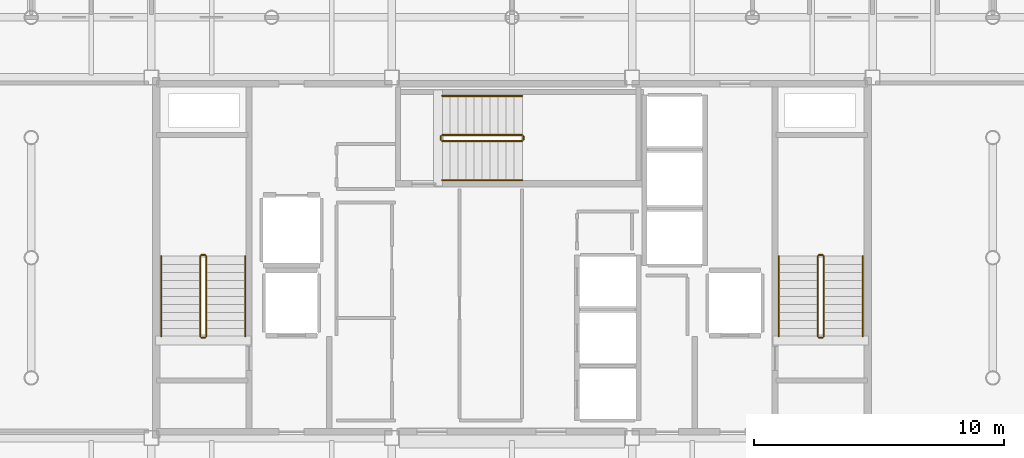
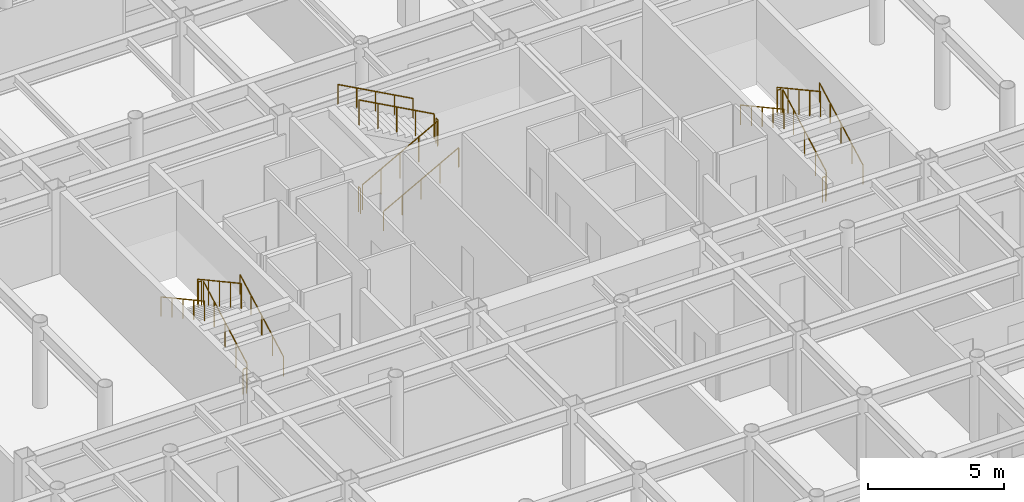
# One storey, part 22 of 22: 18 railings.
"""IFC4 building model written with IfcOpenShell, lengths in metres."""

from ifc_helpers import new_model, si_unit, direction, frame, origin, origin_2d, place, context, subcontext, project, spatial, circle, extrude, material, layer, layer_set, type_object, element, save


model = new_model("IFC4")

# Units and contexts
model_context = context("Model", 3, precision=1e-05, world=origin(), true_north=direction((0.0, 1.0)))
body_context = subcontext(model_context, "Body", "Model", "MODEL_VIEW")
ifc_project = project(units=[si_unit("LENGTHUNIT", "METRE"), si_unit("AREAUNIT", "SQUARE_METRE"), si_unit("VOLUMEUNIT", "CUBIC_METRE"), si_unit("PLANEANGLEUNIT", "RADIAN"), si_unit("MASSUNIT", "GRAM", prefix="KILO")], contexts=[model_context])

# Site, building, storey
site_placement = place(None, origin())
site = spatial("IfcSite", under=ifc_project, at=site_placement, CompositionType="ELEMENT")
building_placement = place(site_placement, origin())
building = spatial("IfcBuilding", under=site, at=building_placement, Name="Kallvorn Hotel Tower", CompositionType="ELEMENT")
storey_placement = place(building_placement, frame((0.0, 0.0, 203.050048828125)))
storey = spatial("IfcBuildingStorey", under=building, at=storey_placement, Name="L50", CompositionType="ELEMENT", Elevation=203.050048828125)

# Railings
ifc_material_1 = material(Name="Brushed stainless-steel tubular railing", Category="steel")
ifc_layer_1 = layer(ifc_material_1, 0.050048828125)
ifc_layer_set_1 = layer_set([ifc_layer_1], Name="RL_STAIR_GUARD")
railing_type_1 = type_object("IfcRailingType", Name="RL_STAIR_GUARD", PredefinedType="GUARDRAIL", material=ifc_layer_set_1)
railing_1_placement = place(storey_placement, frame((-12.2099609375, -3.139892578125, 0.175048828125)))
element("IfcRailing", 1, at=railing_1_placement, inside=storey, type_object=railing_type_1, Name="L50 ST1 stair guard 1", PredefinedType="GUARDRAIL", context=body_context, shape_type="SweptSolid", body=[
    extrude(circle(Radius=0.02392578125, at=origin_2d()), frame((0.0, 0.0, 1.1259765625), z_axis=(0.0, 0.877368057402, 0.479817977833), x_axis=(-1.0, 0.0, 0.0)), (0.0, 0.0, 1.0), 3.647216796875),
    extrude(circle(Radius=0.02099609375, at=origin_2d()), origin(), (0.0, 0.0, 1.0), 1.101806640625),
    extrude(circle(Radius=0.02099609375, at=origin_2d()), frame((0.0, 0.800048828125, 0.4375)), (0.0, 0.0, 1.0), 1.101806640625),
    extrude(circle(Radius=0.02099609375, at=origin_2d()), frame((0.0, 1.60009765625, 0.875)), (0.0, 0.0, 1.0), 1.101806640625),
    extrude(circle(Radius=0.02099609375, at=origin_2d()), frame((0.0, 2.39990234375, 1.3125)), (0.0, 0.0, 1.0), 1.101806640625),
    extrude(circle(Radius=0.02099609375, at=origin_2d()), frame((0.0, 3.199951171875, 1.75)), (0.0, 0.0, 1.0), 1.101806640625),
])
railing_2_placement = place(storey_placement, frame((-12.260009765625, 0.110107421875, 1.925048828125)))
element("IfcRailing", 2, at=railing_2_placement, inside=storey, type_object=railing_type_1, Name="L50 ST1 stair guard 2", PredefinedType="GUARDRAIL", context=body_context, shape_type="SweptSolid", body=[
    extrude(circle(Radius=0.02392578125, at=origin_2d()), frame((0.0, 0.0, 1.1259765625), z_axis=(-1.0, 0.0, 0.0), x_axis=(0.0, -1.0, 0.0)), (0.0, 0.0, 1.0), 0.139892578125),
    extrude(circle(Radius=0.02099609375, at=origin_2d()), origin(), (0.0, 0.0, 1.0), 1.101806640625),
    extrude(circle(Radius=0.02099609375, at=origin_2d()), frame((-0.139892578125, 0.0, 0.0)), (0.0, 0.0, 1.0), 1.101806640625),
])
railing_3_placement = place(storey_placement, frame((-12.449951171875, 0.06005859375, 2.099853515625)))
element("IfcRailing", 3, at=railing_3_placement, inside=storey, type_object=railing_type_1, Name="L50 ST1 stair guard 3", PredefinedType="GUARDRAIL", context=body_context, shape_type="SweptSolid", body=[
    extrude(circle(Radius=0.02392578125, at=origin_2d()), frame((0.0, 0.0, 1.1259765625), z_axis=(0.0, -0.877368057402, 0.479817977833), x_axis=(1.0, 0.0, 0.0)), (0.0, 0.0, 1.0), 3.647216796875),
    extrude(circle(Radius=0.02099609375, at=origin_2d()), origin(), (0.0, 0.0, 1.0), 1.101806640625),
    extrude(circle(Radius=0.02099609375, at=origin_2d()), frame((0.0, -0.800048828125, 0.4375)), (0.0, 0.0, 1.0), 1.101806640625),
    extrude(circle(Radius=0.02099609375, at=origin_2d()), frame((0.0, -1.60009765625, 0.875)), (0.0, 0.0, 1.0), 1.101806640625),
    extrude(circle(Radius=0.02099609375, at=origin_2d()), frame((0.0, -2.39990234375, 1.3125)), (0.0, 0.0, 1.0), 1.101806640625),
    extrude(circle(Radius=0.02099609375, at=origin_2d()), frame((0.0, -3.199951171875, 1.75)), (0.0, 0.0, 1.0), 1.101806640625),
])
railing_4_placement = place(storey_placement, frame((-12.260009765625, -3.18994140625, 0.0)))
element("IfcRailing", 4, at=railing_4_placement, inside=storey, type_object=railing_type_1, Name="L50 ST1 stair guard 4", PredefinedType="GUARDRAIL", context=body_context, shape_type="SweptSolid", body=[
    extrude(circle(Radius=0.02392578125, at=origin_2d()), frame((0.0, 0.0, 1.1259765625), z_axis=(-1.0, 0.0, 0.0), x_axis=(0.0, -1.0, 0.0)), (0.0, 0.0, 1.0), 0.139892578125),
    extrude(circle(Radius=0.02099609375, at=origin_2d()), origin(), (0.0, 0.0, 1.0), 1.101806640625),
    extrude(circle(Radius=0.02099609375, at=origin_2d()), frame((-0.139892578125, 0.0, 0.0)), (0.0, 0.0, 1.0), 1.101806640625),
])
railing_5_placement = place(storey_placement, frame((12.449951171875, -3.139892578125, 0.175048828125)))
element("IfcRailing", 5, at=railing_5_placement, inside=storey, type_object=railing_type_1, Name="L50 ST2 stair guard 1", PredefinedType="GUARDRAIL", context=body_context, shape_type="SweptSolid", body=[
    extrude(circle(Radius=0.02392578125, at=origin_2d()), frame((0.0, 0.0, 1.1259765625), z_axis=(0.0, 0.877368057402, 0.479817977833), x_axis=(-1.0, 0.0, 0.0)), (0.0, 0.0, 1.0), 3.647216796875),
    extrude(circle(Radius=0.02099609375, at=origin_2d()), origin(), (0.0, 0.0, 1.0), 1.101806640625),
    extrude(circle(Radius=0.02099609375, at=origin_2d()), frame((0.0, 0.800048828125, 0.4375)), (0.0, 0.0, 1.0), 1.101806640625),
    extrude(circle(Radius=0.02099609375, at=origin_2d()), frame((0.0, 1.60009765625, 0.875)), (0.0, 0.0, 1.0), 1.101806640625),
    extrude(circle(Radius=0.02099609375, at=origin_2d()), frame((0.0, 2.39990234375, 1.3125)), (0.0, 0.0, 1.0), 1.101806640625),
    extrude(circle(Radius=0.02099609375, at=origin_2d()), frame((0.0, 3.199951171875, 1.75)), (0.0, 0.0, 1.0), 1.101806640625),
])
railing_6_placement = place(storey_placement, frame((12.39990234375, 0.110107421875, 1.925048828125)))
element("IfcRailing", 6, at=railing_6_placement, inside=storey, type_object=railing_type_1, Name="L50 ST2 stair guard 2", PredefinedType="GUARDRAIL", context=body_context, shape_type="SweptSolid", body=[
    extrude(circle(Radius=0.02392578125, at=origin_2d()), frame((0.0, 0.0, 1.1259765625), z_axis=(-1.0, 0.0, 0.0), x_axis=(0.0, -1.0, 0.0)), (0.0, 0.0, 1.0), 0.139892578125),
    extrude(circle(Radius=0.02099609375, at=origin_2d()), origin(), (0.0, 0.0, 1.0), 1.101806640625),
    extrude(circle(Radius=0.02099609375, at=origin_2d()), frame((-0.139892578125, 0.0, 0.0)), (0.0, 0.0, 1.0), 1.101806640625),
])
railing_7_placement = place(storey_placement, frame((12.2099609375, 0.06005859375, 2.099853515625)))
element("IfcRailing", 7, at=railing_7_placement, inside=storey, type_object=railing_type_1, Name="L50 ST2 stair guard 3", PredefinedType="GUARDRAIL", context=body_context, shape_type="SweptSolid", body=[
    extrude(circle(Radius=0.02392578125, at=origin_2d()), frame((0.0, 0.0, 1.1259765625), z_axis=(0.0, -0.877368057402, 0.479817977833), x_axis=(1.0, 0.0, 0.0)), (0.0, 0.0, 1.0), 3.647216796875),
    extrude(circle(Radius=0.02099609375, at=origin_2d()), origin(), (0.0, 0.0, 1.0), 1.101806640625),
    extrude(circle(Radius=0.02099609375, at=origin_2d()), frame((0.0, -0.800048828125, 0.4375)), (0.0, 0.0, 1.0), 1.101806640625),
    extrude(circle(Radius=0.02099609375, at=origin_2d()), frame((0.0, -1.60009765625, 0.875)), (0.0, 0.0, 1.0), 1.101806640625),
    extrude(circle(Radius=0.02099609375, at=origin_2d()), frame((0.0, -2.39990234375, 1.3125)), (0.0, 0.0, 1.0), 1.101806640625),
    extrude(circle(Radius=0.02099609375, at=origin_2d()), frame((0.0, -3.199951171875, 1.75)), (0.0, 0.0, 1.0), 1.101806640625),
])
railing_8_placement = place(storey_placement, frame((12.39990234375, -3.18994140625, 0.0)))
element("IfcRailing", 8, at=railing_8_placement, inside=storey, type_object=railing_type_1, Name="L50 ST2 stair guard 4", PredefinedType="GUARDRAIL", context=body_context, shape_type="SweptSolid", body=[
    extrude(circle(Radius=0.02392578125, at=origin_2d()), frame((0.0, 0.0, 1.1259765625), z_axis=(-1.0, 0.0, 0.0), x_axis=(0.0, -1.0, 0.0)), (0.0, 0.0, 1.0), 0.139892578125),
    extrude(circle(Radius=0.02099609375, at=origin_2d()), origin(), (0.0, 0.0, 1.0), 1.101806640625),
    extrude(circle(Radius=0.02099609375, at=origin_2d()), frame((-0.139892578125, 0.0, 0.0)), (0.0, 0.0, 1.0), 1.101806640625),
])
railing_9_placement = place(storey_placement, frame((-2.7900390625, 4.659912109375, 0.175048828125)))
element("IfcRailing", 9, at=railing_9_placement, inside=storey, type_object=railing_type_1, Name="L50 ST3 stair guard 1", PredefinedType="GUARDRAIL", context=body_context, shape_type="SweptSolid", body=[
    extrude(circle(Radius=0.02392578125, at=origin_2d()), frame((0.0, 0.0, 1.1259765625), z_axis=(0.877368057402, 0.0, 0.479817977833), x_axis=(0.0, 1.0, 0.0)), (0.0, 0.0, 1.0), 3.647216796875),
    extrude(circle(Radius=0.02099609375, at=origin_2d()), origin(), (0.0, 0.0, 1.0), 1.101806640625),
    extrude(circle(Radius=0.02099609375, at=origin_2d()), frame((0.800048828125, 0.0, 0.4375)), (0.0, 0.0, 1.0), 1.101806640625),
    extrude(circle(Radius=0.02099609375, at=origin_2d()), frame((1.60009765625, 0.0, 0.875)), (0.0, 0.0, 1.0), 1.101806640625),
    extrude(circle(Radius=0.02099609375, at=origin_2d()), frame((2.39990234375, 0.0, 1.3125)), (0.0, 0.0, 1.0), 1.101806640625),
    extrude(circle(Radius=0.02099609375, at=origin_2d()), frame((3.199951171875, 0.0, 1.75)), (0.0, 0.0, 1.0), 1.101806640625),
])
railing_10_placement = place(storey_placement, frame((0.4599609375, 4.7099609375, 1.925048828125)))
element("IfcRailing", 10, at=railing_10_placement, inside=storey, type_object=railing_type_1, Name="L50 ST3 stair guard 2", PredefinedType="GUARDRAIL", context=body_context, shape_type="SweptSolid", body=[
    extrude(circle(Radius=0.02392578125, at=origin_2d()), frame((0.0, 0.0, 1.1259765625), z_axis=(0.0, 1.0, 0.0), x_axis=(-1.0, 0.0, 0.0)), (0.0, 0.0, 1.0), 0.14013671875),
    extrude(circle(Radius=0.02099609375, at=origin_2d()), origin(), (0.0, 0.0, 1.0), 1.101806640625),
    extrude(circle(Radius=0.02099609375, at=origin_2d()), frame((0.0, 0.14013671875, 0.0)), (0.0, 0.0, 1.0), 1.101806640625),
])
railing_11_placement = place(storey_placement, frame((0.409912109375, 4.89990234375, 2.099853515625)))
element("IfcRailing", 11, at=railing_11_placement, inside=storey, type_object=railing_type_1, Name="L50 ST3 stair guard 3", PredefinedType="GUARDRAIL", context=body_context, shape_type="SweptSolid", body=[
    extrude(circle(Radius=0.02392578125, at=origin_2d()), frame((0.0, 0.0, 1.1259765625), z_axis=(-0.877368057402, 0.0, 0.479817977833), x_axis=(0.0, -1.0, 0.0)), (0.0, 0.0, 1.0), 3.647216796875),
    extrude(circle(Radius=0.02099609375, at=origin_2d()), origin(), (0.0, 0.0, 1.0), 1.101806640625),
    extrude(circle(Radius=0.02099609375, at=origin_2d()), frame((-0.800048828125, 0.0, 0.4375)), (0.0, 0.0, 1.0), 1.101806640625),
    extrude(circle(Radius=0.02099609375, at=origin_2d()), frame((-1.60009765625, 0.0, 0.875)), (0.0, 0.0, 1.0), 1.101806640625),
    extrude(circle(Radius=0.02099609375, at=origin_2d()), frame((-2.39990234375, 0.0, 1.3125)), (0.0, 0.0, 1.0), 1.101806640625),
    extrude(circle(Radius=0.02099609375, at=origin_2d()), frame((-3.199951171875, 0.0, 1.75)), (0.0, 0.0, 1.0), 1.101806640625),
])
railing_12_placement = place(storey_placement, frame((-2.840087890625, 4.7099609375, 0.0)))
element("IfcRailing", 12, at=railing_12_placement, inside=storey, type_object=railing_type_1, Name="L50 ST3 stair guard 4", PredefinedType="GUARDRAIL", context=body_context, shape_type="SweptSolid", body=[
    extrude(circle(Radius=0.02392578125, at=origin_2d()), frame((0.0, 0.0, 1.1259765625), z_axis=(0.0, 1.0, 0.0), x_axis=(-1.0, 0.0, 0.0)), (0.0, 0.0, 1.0), 0.14013671875),
    extrude(circle(Radius=0.02099609375, at=origin_2d()), origin(), (0.0, 0.0, 1.0), 1.101806640625),
    extrude(circle(Radius=0.02099609375, at=origin_2d()), frame((0.0, 0.14013671875, 0.0)), (0.0, 0.0, 1.0), 1.101806640625),
])
ifc_material_2 = material(Name="Brushed stainless-steel tubular railing", Category="steel")
ifc_layer_2 = layer(ifc_material_2, 0.050048828125)
ifc_layer_set_2 = layer_set([ifc_layer_2], Name="RL_STAIR_HAND")
railing_type_2 = type_object("IfcRailingType", Name="RL_STAIR_HAND", PredefinedType="HANDRAIL", material=ifc_layer_set_2)
railing_13_placement = place(storey_placement, frame((-10.64990234375, -3.139892578125, 0.175048828125)))
element("IfcRailing", 13, at=railing_13_placement, inside=storey, type_object=railing_type_2, Name="L50 ST1 stair handrail 1", PredefinedType="HANDRAIL", context=body_context, shape_type="SweptSolid", body=[
    extrude(circle(Radius=0.02392578125, at=origin_2d()), frame((0.0, 0.0, 0.8759765625), z_axis=(0.0, 0.877368057402, 0.479817977833), x_axis=(-1.0, 0.0, 0.0)), (0.0, 0.0, 1.0), 3.647216796875),
    extrude(circle(Radius=0.02099609375, at=origin_2d()), origin(), (0.0, 0.0, 1.0), 0.851806640625),
    extrude(circle(Radius=0.02099609375, at=origin_2d()), frame((0.0, 0.800048828125, 0.4375)), (0.0, 0.0, 1.0), 0.851806640625),
    extrude(circle(Radius=0.02099609375, at=origin_2d()), frame((0.0, 1.60009765625, 0.875)), (0.0, 0.0, 1.0), 0.851806640625),
    extrude(circle(Radius=0.02099609375, at=origin_2d()), frame((0.0, 2.39990234375, 1.3125)), (0.0, 0.0, 1.0), 0.851806640625),
    extrude(circle(Radius=0.02099609375, at=origin_2d()), frame((0.0, 3.199951171875, 1.75)), (0.0, 0.0, 1.0), 0.851806640625),
])
railing_14_placement = place(storey_placement, frame((-14.010009765625, 0.06005859375, 2.099853515625)))
element("IfcRailing", 14, at=railing_14_placement, inside=storey, type_object=railing_type_2, Name="L50 ST1 stair handrail 2", PredefinedType="HANDRAIL", context=body_context, shape_type="SweptSolid", body=[
    extrude(circle(Radius=0.02392578125, at=origin_2d()), frame((0.0, 0.0, 0.8759765625), z_axis=(0.0, -0.877368057402, 0.479817977833), x_axis=(1.0, 0.0, 0.0)), (0.0, 0.0, 1.0), 3.647216796875),
    extrude(circle(Radius=0.02099609375, at=origin_2d()), origin(), (0.0, 0.0, 1.0), 0.851806640625),
    extrude(circle(Radius=0.02099609375, at=origin_2d()), frame((0.0, -0.800048828125, 0.4375)), (0.0, 0.0, 1.0), 0.851806640625),
    extrude(circle(Radius=0.02099609375, at=origin_2d()), frame((0.0, -1.60009765625, 0.875)), (0.0, 0.0, 1.0), 0.851806640625),
    extrude(circle(Radius=0.02099609375, at=origin_2d()), frame((0.0, -2.39990234375, 1.3125)), (0.0, 0.0, 1.0), 0.851806640625),
    extrude(circle(Radius=0.02099609375, at=origin_2d()), frame((0.0, -3.199951171875, 1.75)), (0.0, 0.0, 1.0), 0.851806640625),
])
railing_15_placement = place(storey_placement, frame((14.010009765625, -3.139892578125, 0.175048828125)))
element("IfcRailing", 15, at=railing_15_placement, inside=storey, type_object=railing_type_2, Name="L50 ST2 stair handrail 1", PredefinedType="HANDRAIL", context=body_context, shape_type="SweptSolid", body=[
    extrude(circle(Radius=0.02392578125, at=origin_2d()), frame((0.0, 0.0, 0.8759765625), z_axis=(0.0, 0.877368057402, 0.479817977833), x_axis=(-1.0, 0.0, 0.0)), (0.0, 0.0, 1.0), 3.647216796875),
    extrude(circle(Radius=0.02099609375, at=origin_2d()), origin(), (0.0, 0.0, 1.0), 0.851806640625),
    extrude(circle(Radius=0.02099609375, at=origin_2d()), frame((0.0, 0.800048828125, 0.4375)), (0.0, 0.0, 1.0), 0.851806640625),
    extrude(circle(Radius=0.02099609375, at=origin_2d()), frame((0.0, 1.60009765625, 0.875)), (0.0, 0.0, 1.0), 0.851806640625),
    extrude(circle(Radius=0.02099609375, at=origin_2d()), frame((0.0, 2.39990234375, 1.3125)), (0.0, 0.0, 1.0), 0.851806640625),
    extrude(circle(Radius=0.02099609375, at=origin_2d()), frame((0.0, 3.199951171875, 1.75)), (0.0, 0.0, 1.0), 0.851806640625),
])
railing_16_placement = place(storey_placement, frame((10.64990234375, 0.06005859375, 2.099853515625)))
element("IfcRailing", 16, at=railing_16_placement, inside=storey, type_object=railing_type_2, Name="L50 ST2 stair handrail 2", PredefinedType="HANDRAIL", context=body_context, shape_type="SweptSolid", body=[
    extrude(circle(Radius=0.02392578125, at=origin_2d()), frame((0.0, 0.0, 0.8759765625), z_axis=(0.0, -0.877368057402, 0.479817977833), x_axis=(1.0, 0.0, 0.0)), (0.0, 0.0, 1.0), 3.647216796875),
    extrude(circle(Radius=0.02099609375, at=origin_2d()), origin(), (0.0, 0.0, 1.0), 0.851806640625),
    extrude(circle(Radius=0.02099609375, at=origin_2d()), frame((0.0, -0.800048828125, 0.4375)), (0.0, 0.0, 1.0), 0.851806640625),
    extrude(circle(Radius=0.02099609375, at=origin_2d()), frame((0.0, -1.60009765625, 0.875)), (0.0, 0.0, 1.0), 0.851806640625),
    extrude(circle(Radius=0.02099609375, at=origin_2d()), frame((0.0, -2.39990234375, 1.3125)), (0.0, 0.0, 1.0), 0.851806640625),
    extrude(circle(Radius=0.02099609375, at=origin_2d()), frame((0.0, -3.199951171875, 1.75)), (0.0, 0.0, 1.0), 0.851806640625),
])
railing_17_placement = place(storey_placement, frame((-2.7900390625, 3.10009765625, 0.175048828125)))
element("IfcRailing", 17, at=railing_17_placement, inside=storey, type_object=railing_type_2, Name="L50 ST3 stair handrail 1", PredefinedType="HANDRAIL", context=body_context, shape_type="SweptSolid", body=[
    extrude(circle(Radius=0.02392578125, at=origin_2d()), frame((0.0, 0.0, 0.8759765625), z_axis=(0.877368057402, 0.0, 0.479817977833), x_axis=(0.0, 1.0, 0.0)), (0.0, 0.0, 1.0), 3.647216796875),
    extrude(circle(Radius=0.02099609375, at=origin_2d()), origin(), (0.0, 0.0, 1.0), 0.851806640625),
    extrude(circle(Radius=0.02099609375, at=origin_2d()), frame((0.800048828125, 0.0, 0.4375)), (0.0, 0.0, 1.0), 0.851806640625),
    extrude(circle(Radius=0.02099609375, at=origin_2d()), frame((1.60009765625, 0.0, 0.875)), (0.0, 0.0, 1.0), 0.851806640625),
    extrude(circle(Radius=0.02099609375, at=origin_2d()), frame((2.39990234375, 0.0, 1.3125)), (0.0, 0.0, 1.0), 0.851806640625),
    extrude(circle(Radius=0.02099609375, at=origin_2d()), frame((3.199951171875, 0.0, 1.75)), (0.0, 0.0, 1.0), 0.851806640625),
])
railing_18_placement = place(storey_placement, frame((0.409912109375, 6.4599609375, 2.099853515625)))
element("IfcRailing", 18, at=railing_18_placement, inside=storey, type_object=railing_type_2, Name="L50 ST3 stair handrail 2", PredefinedType="HANDRAIL", context=body_context, shape_type="SweptSolid", body=[
    extrude(circle(Radius=0.02392578125, at=origin_2d()), frame((0.0, 0.0, 0.8759765625), z_axis=(-0.877368057402, 0.0, 0.479817977833), x_axis=(0.0, -1.0, 0.0)), (0.0, 0.0, 1.0), 3.647216796875),
    extrude(circle(Radius=0.02099609375, at=origin_2d()), origin(), (0.0, 0.0, 1.0), 0.851806640625),
    extrude(circle(Radius=0.02099609375, at=origin_2d()), frame((-0.800048828125, 0.0, 0.4375)), (0.0, 0.0, 1.0), 0.851806640625),
    extrude(circle(Radius=0.02099609375, at=origin_2d()), frame((-1.60009765625, 0.0, 0.875)), (0.0, 0.0, 1.0), 0.851806640625),
    extrude(circle(Radius=0.02099609375, at=origin_2d()), frame((-2.39990234375, 0.0, 1.3125)), (0.0, 0.0, 1.0), 0.851806640625),
    extrude(circle(Radius=0.02099609375, at=origin_2d()), frame((-3.199951171875, 0.0, 1.75)), (0.0, 0.0, 1.0), 0.851806640625),
])

save(model, "model.ifc")
